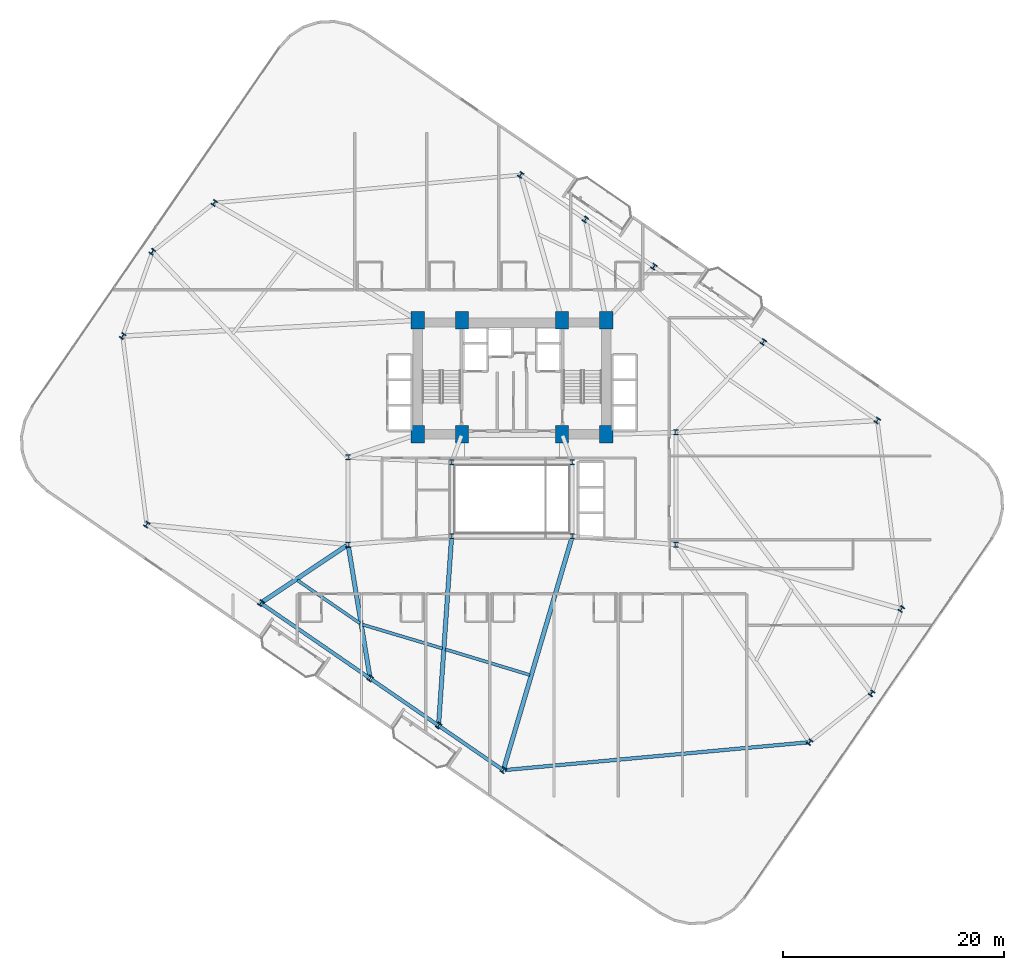
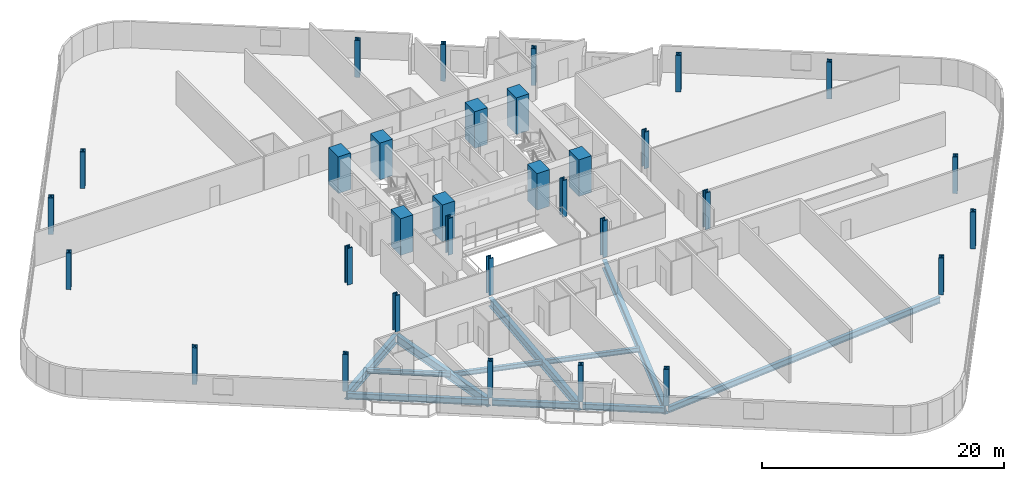
# One storey, part 1 of 24: 32 columns, 11 beams.
"""IFC4 building model written with IfcOpenShell, lengths in metres."""

import ifcopenshell
import ifcopenshell.guid

model = None  # the IFC model being written
_history = None  # IfcOwnerHistory: only IFC2X3 demands one
_inside = {}  # id of a spatial element -> (the spatial element, [elements in it])
_under = {}  # id of a project, library or spatial element -> (it, [spatial elements below it])
_declared = {}  # id of a project -> (the project, [libraries it declares])
_typed = {}  # id of a type object -> (the type object, [elements of that type])
_made_of = {}  # id of a material, layer set ... -> (it, [elements and type objects made of it])


def new_model(schema):
    """Start an empty IFC model of exactly this schema.

    Asked for "IFC4X3", IfcOpenShell would pick the latest addendum, in which some entities
    have other attributes; the version numbers below select the first issue.
    IFC2X3 requires an IfcOwnerHistory on every rooted entity: one is made here for all.
    """
    global model, _history
    if schema == "IFC4X3":
        model = ifcopenshell.file(schema_version=(4, 3, 0, 0))
    else:
        model = ifcopenshell.file(schema=schema)
    _inside.clear()
    _under.clear()
    _declared.clear()
    _typed.clear()
    _made_of.clear()
    _history = None
    if model.schema == "IFC2X3":
        org = make("IfcOrganization", Name="unknown")
        user = make(
            "IfcPersonAndOrganization",
            ThePerson=make("IfcPerson", FamilyName="unknown"),
            TheOrganization=org,
        )
        app = make(
            "IfcApplication",
            ApplicationDeveloper=org,
            Version="unknown",
            ApplicationFullName="unknown",
            ApplicationIdentifier="unknown",
        )
        _history = make(
            "IfcOwnerHistory",
            OwningUser=user,
            OwningApplication=app,
            ChangeAction="ADDED",
            CreationDate=0,
        )
    return model


def make(cls, **values):
    """One entity of the class cls with the attributes given. An attribute that is None is left unset."""
    return model.create_entity(
        cls, **{name: value for name, value in values.items() if value is not None}
    )


def rooted(cls, **values):
    """An entity with a GlobalId (a new one), such as an element, a storey or a relation."""
    return make(cls, GlobalId=ifcopenshell.guid.new(), OwnerHistory=_history, **values)


def si_unit(unit_type, name, prefix=None):
    """IfcSIUnit, for example si_unit("LENGTHUNIT", "METRE", prefix="MILLI")."""
    return make("IfcSIUnit", UnitType=unit_type, Prefix=prefix, Name=name)


def assignment(units):
    """IfcUnitAssignment: the units of a project."""
    return None if units is None else make("IfcUnitAssignment", Units=units)


def point(xyz):
    """IfcCartesianPoint."""
    return None if xyz is None else make("IfcCartesianPoint", Coordinates=xyz)


def direction(xyz):
    """IfcDirection."""
    return None if xyz is None else make("IfcDirection", DirectionRatios=xyz)


def frame(location, z_axis=None, x_axis=None):
    """IfcAxis2Placement3D, a coordinate frame: its origin and axes. An axis left out is left unset."""
    return make(
        "IfcAxis2Placement3D",
        Location=point(location),
        Axis=direction(z_axis),
        RefDirection=direction(x_axis),
    )


def frame_2d(location, x_axis=None):
    """IfcAxis2Placement2D, a coordinate frame in the plane: its origin and x axis."""
    return make(
        "IfcAxis2Placement2D", Location=point(location), RefDirection=direction(x_axis)
    )


def origin():
    """The frame at (0, 0, 0) with its axes left unset."""
    return frame((0.0, 0.0, 0.0))


def origin_2d():
    """The frame at (0, 0) in the plane with its x axis left unset."""
    return frame_2d((0.0, 0.0))


def place(relative_to, where):
    """IfcLocalPlacement: puts the frame where relative to a parent placement (None: the world)."""
    return make(
        "IfcLocalPlacement", PlacementRelTo=relative_to, RelativePlacement=where
    )


def context(
    kind, dimensions, precision=None, world=None, true_north=None, identifier=None
):
    """IfcGeometricRepresentationContext, for example the 3D "Model" context."""
    return make(
        "IfcGeometricRepresentationContext",
        ContextIdentifier=identifier,
        ContextType=kind,
        CoordinateSpaceDimension=dimensions,
        Precision=precision,
        WorldCoordinateSystem=world,
        TrueNorth=true_north,
    )


def subcontext(parent, identifier, kind, view, scale=None):
    """IfcGeometricRepresentationSubContext, for example "Body" below "Model"."""
    return make(
        "IfcGeometricRepresentationSubContext",
        ContextIdentifier=identifier,
        ContextType=kind,
        ParentContext=parent,
        TargetScale=scale,
        TargetView=view,
    )


def project(units=None, contexts=None):
    """IfcProject with its units and contexts."""
    return rooted(
        "IfcProject",
        Name="project",
        RepresentationContexts=contexts,
        UnitsInContext=assignment(units),
    )


def spatial(cls, under=None, at=None, **own):
    """A site, building, storey or space (cls), placed at a placement, below another one or the project."""
    s = rooted(cls, ObjectPlacement=at, **own)
    if under is not None:
        _under.setdefault(under.id(), (under, []))[1].append(s)
    return s


def profile(cls, at=None, kind="AREA", **sizes):
    """A parametric profile (cls). Its sizes go by their IFC names, for example OverallWidth=200.0."""
    return make(cls, ProfileType=kind, Position=at, **sizes)


def rectangle(**sizes):
    """IfcRectangleProfileDef."""
    return profile("IfcRectangleProfileDef", **sizes)


def i_section(**sizes):
    """IfcIShapeProfileDef."""
    return profile("IfcIShapeProfileDef", **sizes)


def extrude(swept, where, along, depth):
    """IfcExtrudedAreaSolid: the profile swept, set in the frame where, extruded along a direction by depth."""
    return make(
        "IfcExtrudedAreaSolid",
        SweptArea=swept,
        Position=where,
        ExtrudedDirection=direction(along),
        Depth=depth,
    )


def shape(context_of_items, identifier, shape_type, items):
    """IfcShapeRepresentation: the items that make up one representation, for example the "Body"."""
    return make(
        "IfcShapeRepresentation",
        ContextOfItems=context_of_items,
        RepresentationIdentifier=identifier,
        RepresentationType=shape_type,
        Items=items,
    )


def material(Name=None, Category=None):
    """IfcMaterial."""
    return make("IfcMaterial", Name=Name, Category=Category)


def material_profile(
    of_material, cross_section, Name=None, Category=None, Priority=None
):
    """IfcMaterialProfile: a cross section and its material."""
    return make(
        "IfcMaterialProfile",
        Name=Name,
        Material=of_material,
        Profile=cross_section,
        Priority=Priority,
        Category=Category,
    )


def profile_set(profiles, Name=None, composite=None):
    """IfcMaterialProfileSet."""
    return make(
        "IfcMaterialProfileSet",
        Name=Name,
        MaterialProfiles=profiles,
        CompositeProfile=composite,
    )


def made_of(thing, what):
    """Note that an element or type object is made of a material, layer set ...; save() writes the relation."""
    if what is not None:
        _made_of.setdefault(what.id(), (what, []))[1].append(thing)
    return thing


def type_object(cls, material=None, **own):
    """A type object (cls), such as IfcWallType, which elements share."""
    return made_of(rooted(cls, **own), material)


def element(
    cls,
    number,
    at=None,
    inside=None,
    cuts=None,
    type_object=None,
    material=None,
    context=None,
    identifier="Body",
    shape_type=None,
    held_by="IfcProductDefinitionShape",
    body=None,
    shapes=None,
    **own,
):
    """One element of the class cls, such as IfcWall. Its Tag is "e" and its number.

    at: its placement. inside: the storey or other place that contains it. cuts: it is an
    opening in that element (IfcRelVoidsElement). A single representation is given by context,
    identifier, shape_type and body (its items); several are given by shapes. held_by: the class
    of the entity that holds the representations. save() writes the other relations.
    """
    e = rooted(cls, Tag="e%d" % number, ObjectPlacement=at, **own)
    if body is not None:
        shapes = [shape(context, identifier, shape_type, body)]
    if shapes is not None:
        e.Representation = make(held_by, Representations=shapes)
    if inside is not None:
        _inside.setdefault(inside.id(), (inside, []))[1].append(e)
    if cuts is not None:
        rooted(
            "IfcRelVoidsElement", RelatingBuildingElement=cuts, RelatedOpeningElement=e
        )
    if type_object is not None:
        _typed.setdefault(type_object.id(), (type_object, []))[1].append(e)
    return made_of(e, material)


def aggregate(whole, parts):
    """IfcRelAggregates: a whole, such as a stair, and the parts it consists of."""
    return rooted("IfcRelAggregates", RelatingObject=whole, RelatedObjects=parts)


def save(model, path):
    """Write the relations noted so far, then the file.

    IfcRelAggregates (storeys below a building ...), IfcRelContainedInSpatialStructure (elements
    in a storey), IfcRelDefinesByType, IfcRelAssociatesMaterial and IfcRelDeclares: one each for
    every whole, place, type object, material and project.
    """
    for whole, parts in _under.values():
        aggregate(whole, parts)
    for where, things in _inside.values():
        rooted(
            "IfcRelContainedInSpatialStructure",
            RelatedElements=things,
            RelatingStructure=where,
        )
    for kind, things in _typed.values():
        rooted("IfcRelDefinesByType", RelatedObjects=things, RelatingType=kind)
    for what, things in _made_of.values():
        rooted("IfcRelAssociatesMaterial", RelatedObjects=things, RelatingMaterial=what)
    for by, libraries in _declared.values():
        rooted("IfcRelDeclares", RelatingContext=by, RelatedDefinitions=libraries)
    model.write(path)


model = new_model("IFC4")

# Units and contexts
model_context = context("Model", 3, precision=1e-05, world=origin(), true_north=direction((0.0, 1.0)))
body_context = subcontext(model_context, "Body", "Model", "MODEL_VIEW")
ifc_project = project(units=[si_unit("LENGTHUNIT", "METRE"), si_unit("AREAUNIT", "SQUARE_METRE"), si_unit("VOLUMEUNIT", "CUBIC_METRE"), si_unit("PLANEANGLEUNIT", "RADIAN"), si_unit("MASSUNIT", "GRAM", prefix="KILO")], contexts=[model_context])

# Site, building, storey
site_placement = place(None, origin())
site = spatial("IfcSite", under=ifc_project, at=site_placement, CompositionType="ELEMENT")
building_placement = place(site_placement, origin())
building = spatial("IfcBuilding", under=site, at=building_placement, Name="Varnelok Gate Tower", CompositionType="ELEMENT")
storey_placement = place(building_placement, frame((0.0, 0.0, 67.699951171875)))
storey = spatial("IfcBuildingStorey", under=building, at=storey_placement, Name="L16", CompositionType="ELEMENT", Elevation=67.699951171875)

# Columns
ifc_material_1 = material(Name="Concrete C70/85", Category="concrete")
ifc_material_profile_1 = material_profile(ifc_material_1, rectangle(XDim=1.199951171875, YDim=1.60009765625, at=origin_2d()), Name="RC1600X1200")
ifc_profile_set_1 = profile_set([ifc_material_profile_1], Name="Concrete C70/85")
column_type_1 = type_object("IfcColumnType", Name="COL-RC1600X1200", PredefinedType="COLUMN", material=ifc_profile_set_1)
for number, where, z_axis, x_axis, name in (
    (1, (30.699951171875, 28.75, 0.0), (0.0, 0.0, 1.0), (1.0, 0.0, 0.0), "L16 Core Spine Column SC1"),
    (2, (34.679931640625, 28.75, 0.0), (0.0, 0.0, 1.0), (1.0, 0.0, 0.0), "L16 Core Spine Column SC2"),
    (3, (43.719970703125, 28.75, 0.0), (0.0, 0.0, 1.0), (1.0, 0.0, 0.0), "L16 Core Spine Column SC3"),
    (4, (47.699951171875, 28.75, 0.0), (0.0, 0.0, 1.0), (1.0, 0.0, 0.0), "L16 Core Spine Column SC4"),
    (5, (30.699951171875, 39.050048828125, 0.0), (0.0, 0.0, 1.0), (1.0, 0.0, 0.0), "L16 Core Spine Column SC5"),
    (6, (34.679931640625, 39.050048828125, 0.0), (0.0, 0.0, 1.0), (1.0, 0.0, 0.0), "L16 Core Spine Column SC6"),
    (7, (43.719970703125, 39.050048828125, 0.0), (0.0, 0.0, 1.0), (1.0, 0.0, 0.0), "L16 Core Spine Column SC7"),
    (8, (47.699951171875, 39.050048828125, 0.0), (0.0, 0.0, 1.0), (1.0, 0.0, 0.0), "L16 Core Spine Column SC8"),
):
    element("IfcColumn", number, at=place(storey_placement, frame(where, z_axis=z_axis, x_axis=x_axis)), inside=storey, type_object=column_type_1, Name=name, PredefinedType="COLUMN", context=body_context, shape_type="SweptSolid", body=[
        extrude(rectangle(XDim=1.199951171875, YDim=1.60009765625, at=origin_2d()), origin(), (0.0, 0.0, 1.0), 3.699951171875),
    ])
ifc_material_2 = material(Name="Structural Steel ASTM A992 Grade 50", Category="steel")
ifc_material_profile_2 = material_profile(ifc_material_2, i_section(OverallWidth=0.431884765625, OverallDepth=0.498046875, WebThickness=0.0556640625, FlangeThickness=0.0888671875, FilletRadius=0.02490234375, at=origin_2d()), Name="W14X500")
ifc_profile_set_2 = profile_set([ifc_material_profile_2], Name="Structural Steel ASTM A992 Grade 50")
column_type_2 = type_object("IfcColumnType", Name="COL-W14X500", PredefinedType="COLUMN", material=ifc_profile_set_2)
for number, where, z_axis, x_axis, name in (
    (9, (33.75, 19.550048828125, 0.0), (0.0, 0.0, 1.0), (1.0, 0.0, 0.0), "L16 Atrium Spine Column AC1"),
    (10, (44.64990234375, 19.550048828125, 0.0), (0.0, 0.0, 1.0), (1.0, 0.0, 0.0), "L16 Atrium Spine Column AC2"),
    (11, (33.75, 26.25, 0.0), (0.0, 0.0, 1.0), (1.0, 0.0, 0.0), "L16 Atrium Spine Column AC3"),
    (12, (44.64990234375, 26.25, 0.0), (0.0, 0.0, 1.0), (1.0, 0.0, 0.0), "L16 Atrium Spine Column AC4"),
    (13, (24.39990234375, 18.800048828125, 0.0), (0.0, 0.0, 1.0), (1.0, 0.0, 0.0), "L16 Wing Spine Column WS1"),
    (14, (24.39990234375, 26.679931640625, 0.0), (0.0, 0.0, 1.0), (1.0, 0.0, 0.0), "L16 Wing Spine Column WS2"),
    (15, (54.0, 18.800048828125, 0.0), (0.0, 0.0, 1.0), (1.0, 0.0, 0.0), "L16 Wing Spine Column ES1"),
    (16, (54.0, 28.919921875, 0.0), (0.0, 0.0, 1.0), (1.0, 0.0, 0.0), "L16 Wing Spine Column ES2"),
    (17, (6.214599609375, 20.602783203125, 0.0), (0.0, 0.0, 1.0), (0.823532597628, -0.567268949127, 0.0), "L16 B1 Perimeter Column PC01"),
    (18, (16.5087890625, 13.511962890625, 0.0), (0.0, 0.0, 1.0), (0.823532597628, -0.567268949127, 0.0), "L16 B1 Perimeter Column PC02"),
    (19, (26.39111328125, 6.70458984375, 0.0), (0.0, 0.0, 1.0), (0.823532597628, -0.567268949127, 0.0), "L16 B1 Perimeter Column PC03"),
    (20, (32.567626953125, 2.4501953125, 0.0), (0.0, 0.0, 1.0), (0.823532597628, -0.567268949127, 0.0), "L16 B1 Perimeter Column PC04"),
    (21, (38.41455078125, -1.577392578125, 0.0), (0.0, 0.0, 1.0), (0.823532597628, -0.567268949127, 0.0), "L16 B1 Perimeter Column PC05"),
    (22, (66.084716796875, 0.95263671875, 0.0), (0.0, 0.0, 1.0), (0.823532597628, -0.567268949127, 0.0), "L16 B1 Perimeter Column PC06"),
    (23, (71.669921875, 5.362548828125, 0.0), (0.0, 0.0, 1.0), (0.823532597628, -0.567268949127, 0.0), "L16 B1 Perimeter Column PC07"),
    (24, (74.366943359375, 12.976318359375, 0.0), (0.0, 0.0, 1.0), (0.823532597628, -0.567268949127, 0.0), "L16 B1 Perimeter Column PC08"),
    (25, (72.185546875, 29.997314453125, 0.0), (0.0, 0.0, 1.0), (0.823532597628, -0.567268949127, 0.0), "L16 B1 Perimeter Column PC09"),
    (26, (61.891357421875, 37.088134765625, 0.0), (0.0, 0.0, 1.0), (0.823532597628, -0.567268949127, 0.0), "L16 B1 Perimeter Column PC10"),
    (27, (52.0087890625, 43.8955078125, 0.0), (0.0, 0.0, 1.0), (0.823532597628, -0.567268949127, 0.0), "L16 B1 Perimeter Column PC11"),
    (28, (45.83251953125, 48.14990234375, 0.0), (0.0, 0.0, 1.0), (0.823532597628, -0.567268949127, 0.0), "L16 B1 Perimeter Column PC12"),
    (29, (39.9853515625, 52.177490234375, 0.0), (0.0, 0.0, 1.0), (0.823532597628, -0.567268949127, 0.0), "L16 B1 Perimeter Column PC13"),
    (30, (12.315185546875, 49.6474609375, 0.0), (0.0, 0.0, 1.0), (0.823532597628, -0.567268949127, 0.0), "L16 B1 Perimeter Column PC14"),
    (31, (6.72998046875, 45.237548828125, 0.0), (0.0, 0.0, 1.0), (0.823532597628, -0.567268949127, 0.0), "L16 B1 Perimeter Column PC15"),
    (32, (4.033203125, 37.623779296875, 0.0), (0.0, 0.0, 1.0), (0.823532597628, -0.567268949127, 0.0), "L16 B1 Perimeter Column PC16"),
):
    element("IfcColumn", number, at=place(storey_placement, frame(where, z_axis=z_axis, x_axis=x_axis)), inside=storey, type_object=column_type_2, Name=name, PredefinedType="COLUMN", context=body_context, shape_type="SweptSolid", body=[
        extrude(i_section(OverallWidth=0.431884765625, OverallDepth=0.498046875, WebThickness=0.0556640625, FlangeThickness=0.0888671875, FilletRadius=0.02490234375, at=origin_2d()), origin(), (0.0, 0.0, 1.0), 3.699951171875),
    ])

# Beams
ifc_material_profile_3 = material_profile(ifc_material_2, i_section(OverallWidth=0.280029296875, OverallDepth=0.462890625, WebThickness=0.0107421875, FlangeThickness=0.017333984375, FilletRadius=0.014892578125, at=origin_2d()), Name="W18X76")
ifc_profile_set_3 = profile_set([ifc_material_profile_3], Name="Structural Steel ASTM A992 Grade 50")
beam_type_1 = type_object("IfcBeamType", Name="BM-JST-W18X76", PredefinedType="JOIST", material=ifc_profile_set_3)
beam_1_placement = place(storey_placement, frame((19.820068359375, 15.57421875, -0.4814453125), z_axis=(0.823522379693, -0.567283782727, 0.0), x_axis=(0.567283782727, 0.823522379693, 0.0)))
element("IfcBeam", 33, at=beam_1_placement, inside=storey, type_object=beam_type_1, Name="L16 Sector Floor Joist 2", PredefinedType="JOIST", context=body_context, shape_type="SweptSolid", body=[
    extrude(i_section(OverallWidth=0.280029296875, OverallDepth=0.462890625, WebThickness=0.0107421875, FlangeThickness=0.017333984375, FilletRadius=0.014892578125, at=origin_2d()), origin(), (0.0, 0.0, 1.0), 6.860107421875),
])
beam_2_placement = place(storey_placement, frame((25.718994140625, 11.563232421875, -0.4814453125), z_axis=(0.958203180406, -0.286088561568, 0.0), x_axis=(0.286088561568, 0.958203180406, 0.0)))
element("IfcBeam", 34, at=beam_2_placement, inside=storey, type_object=beam_type_1, Name="L16 Sector Floor Joist 3", PredefinedType="JOIST", context=body_context, shape_type="SweptSolid", body=[
    extrude(i_section(OverallWidth=0.280029296875, OverallDepth=0.462890625, WebThickness=0.0107421875, FlangeThickness=0.017333984375, FilletRadius=0.014892578125, at=origin_2d()), origin(), (0.0, 0.0, 1.0), 7.507080078125),
])
beam_3_placement = place(storey_placement, frame((33.180419921875, 9.3349609375, -0.4814453125), z_axis=(0.956869931833, -0.290516666568, 0.0), x_axis=(0.290516666568, 0.956869931833, 0.0)))
element("IfcBeam", 35, at=beam_3_placement, inside=storey, type_object=beam_type_1, Name="L16 Sector Floor Joist 4", PredefinedType="JOIST", context=body_context, shape_type="SweptSolid", body=[
    extrude(i_section(OverallWidth=0.280029296875, OverallDepth=0.462890625, WebThickness=0.0107421875, FlangeThickness=0.017333984375, FilletRadius=0.014892578125, at=origin_2d()), origin(), (0.0, 0.0, 1.0), 7.96923828125),
])
ifc_material_profile_4 = material_profile(ifc_material_2, i_section(OverallWidth=0.39892578125, OverallDepth=0.85498046875, WebThickness=0.018310546875, FlangeThickness=0.029296875, FilletRadius=0.02392578125, at=origin_2d()), Name="W33X201")
ifc_profile_set_4 = profile_set([ifc_material_profile_4], Name="Structural Steel ASTM A992 Grade 50")
beam_type_2 = type_object("IfcBeamType", Name="BM-PRI-W33X201", PredefinedType="BEAM", material=ifc_profile_set_4)
beam_4_placement = place(storey_placement, frame((24.275390625, 18.716552734375, -0.677490234375), z_axis=(-0.830725059098, -0.556682922485, 0.0), x_axis=(0.556682922485, -0.830725059098, 0.0)))
element("IfcBeam", 36, at=beam_4_placement, inside=storey, type_object=beam_type_2, Name="L16 Radial Floor Girder 2", PredefinedType="BEAM", context=body_context, shape_type="SweptSolid", body=[
    extrude(i_section(OverallWidth=0.39892578125, OverallDepth=0.85498046875, WebThickness=0.018310546875, FlangeThickness=0.029296875, FilletRadius=0.02392578125, at=origin_2d()), origin(), (0.0, 0.0, 1.0), 9.19921875),
])
beam_5_placement = place(storey_placement, frame((24.42431640625, 18.652099609375, -0.677490234375), z_axis=(0.162428802214, -0.986720266444, 0.0), x_axis=(0.986720266444, 0.162428802214, 0.0)))
element("IfcBeam", 37, at=beam_5_placement, inside=storey, type_object=beam_type_2, Name="L16 Radial Floor Girder 3", PredefinedType="BEAM", context=body_context, shape_type="SweptSolid", body=[
    extrude(i_section(OverallWidth=0.39892578125, OverallDepth=0.85498046875, WebThickness=0.018310546875, FlangeThickness=0.029296875, FilletRadius=0.02392578125, at=origin_2d()), origin(), (0.0, 0.0, 1.0), 11.958251953125),
])
beam_6_placement = place(storey_placement, frame((33.73974609375, 19.400390625, -0.677490234375), z_axis=(-0.068990652765, -0.997617306301, 0.0), x_axis=(0.997617306301, -0.068990652765, 0.0)))
element("IfcBeam", 38, at=beam_6_placement, inside=storey, type_object=beam_type_2, Name="L16 Radial Floor Girder 4", PredefinedType="BEAM", context=body_context, shape_type="SweptSolid", body=[
    extrude(i_section(OverallWidth=0.39892578125, OverallDepth=0.85498046875, WebThickness=0.018310546875, FlangeThickness=0.029296875, FilletRadius=0.02392578125, at=origin_2d()), origin(), (0.0, 0.0, 1.0), 16.8408203125),
])
beam_7_placement = place(storey_placement, frame((44.607421875, 19.406005859375, -0.677490234375), z_axis=(-0.283059829362, -0.959102253673, 0.0), x_axis=(0.959102253673, -0.283059829362, 0.0)))
element("IfcBeam", 39, at=beam_7_placement, inside=storey, type_object=beam_type_2, Name="L16 Radial Floor Girder 5", PredefinedType="BEAM", context=body_context, shape_type="SweptSolid", body=[
    extrude(i_section(OverallWidth=0.39892578125, OverallDepth=0.85498046875, WebThickness=0.018310546875, FlangeThickness=0.029296875, FilletRadius=0.02392578125, at=origin_2d()), origin(), (0.0, 0.0, 1.0), 21.728271484375),
])
ifc_material_profile_5 = material_profile(ifc_material_2, i_section(OverallWidth=0.323974609375, OverallDepth=0.611083984375, WebThickness=0.0126953125, FlangeThickness=0.01904296875, FilletRadius=0.01806640625, at=origin_2d()), Name="W24X104")
ifc_profile_set_5 = profile_set([ifc_material_profile_5], Name="Structural Steel ASTM A992 Grade 50")
beam_type_3 = type_object("IfcBeamType", Name="BM-SPN-W24X104", PredefinedType="SPANDREL", material=ifc_profile_set_5)
beam_8_placement = place(storey_placement, frame((16.632080078125, 13.4267578125, -0.555419921875), z_axis=(0.823540527698, -0.567257436478, 0.0), x_axis=(0.567257436478, 0.823540527698, 0.0)))
element("IfcBeam", 40, at=beam_8_placement, inside=storey, type_object=beam_type_3, Name="L16 Perimeter Spandrel Beam 2", PredefinedType="SPANDREL", context=body_context, shape_type="SweptSolid", body=[
    extrude(i_section(OverallWidth=0.323974609375, OverallDepth=0.611083984375, WebThickness=0.0126953125, FlangeThickness=0.01904296875, FilletRadius=0.01806640625, at=origin_2d()), origin(), (0.0, 0.0, 1.0), 11.7001953125),
])
beam_9_placement = place(storey_placement, frame((26.5146484375, 6.619384765625, -0.555419921875), z_axis=(0.823539986654, -0.56725822196, 0.0), x_axis=(0.56725822196, 0.823539986654, 0.0)))
element("IfcBeam", 41, at=beam_9_placement, inside=storey, type_object=beam_type_3, Name="L16 Perimeter Spandrel Beam 3", PredefinedType="SPANDREL", context=body_context, shape_type="SweptSolid", body=[
    extrude(i_section(OverallWidth=0.323974609375, OverallDepth=0.611083984375, WebThickness=0.0126953125, FlangeThickness=0.01904296875, FilletRadius=0.01806640625, at=origin_2d()), origin(), (0.0, 0.0, 1.0), 7.199951171875),
])
beam_10_placement = place(storey_placement, frame((32.691162109375, 2.364990234375, -0.555419921875), z_axis=(0.823525119645, -0.567279805135, 0.0), x_axis=(0.567279805135, 0.823525119645, 0.0)))
element("IfcBeam", 42, at=beam_10_placement, inside=storey, type_object=beam_type_3, Name="L16 Perimeter Spandrel Beam 4", PredefinedType="SPANDREL", context=body_context, shape_type="SweptSolid", body=[
    extrude(i_section(OverallWidth=0.323974609375, OverallDepth=0.611083984375, WebThickness=0.0126953125, FlangeThickness=0.01904296875, FilletRadius=0.01806640625, at=origin_2d()), origin(), (0.0, 0.0, 1.0), 6.7998046875),
])
beam_11_placement = place(storey_placement, frame((38.56396484375, -1.563720703125, -0.555419921875), z_axis=(0.995845891963, 0.091054705864, 0.0), x_axis=(-0.091054705864, 0.995845891963, 0.0)))
element("IfcBeam", 43, at=beam_11_placement, inside=storey, type_object=beam_type_3, Name="L16 Perimeter Spandrel Beam 5", PredefinedType="SPANDREL", context=body_context, shape_type="SweptSolid", body=[
    extrude(i_section(OverallWidth=0.323974609375, OverallDepth=0.611083984375, WebThickness=0.0126953125, FlangeThickness=0.01904296875, FilletRadius=0.01806640625, at=origin_2d()), origin(), (0.0, 0.0, 1.0), 27.485595703125),
])

save(model, "model.ifc")
